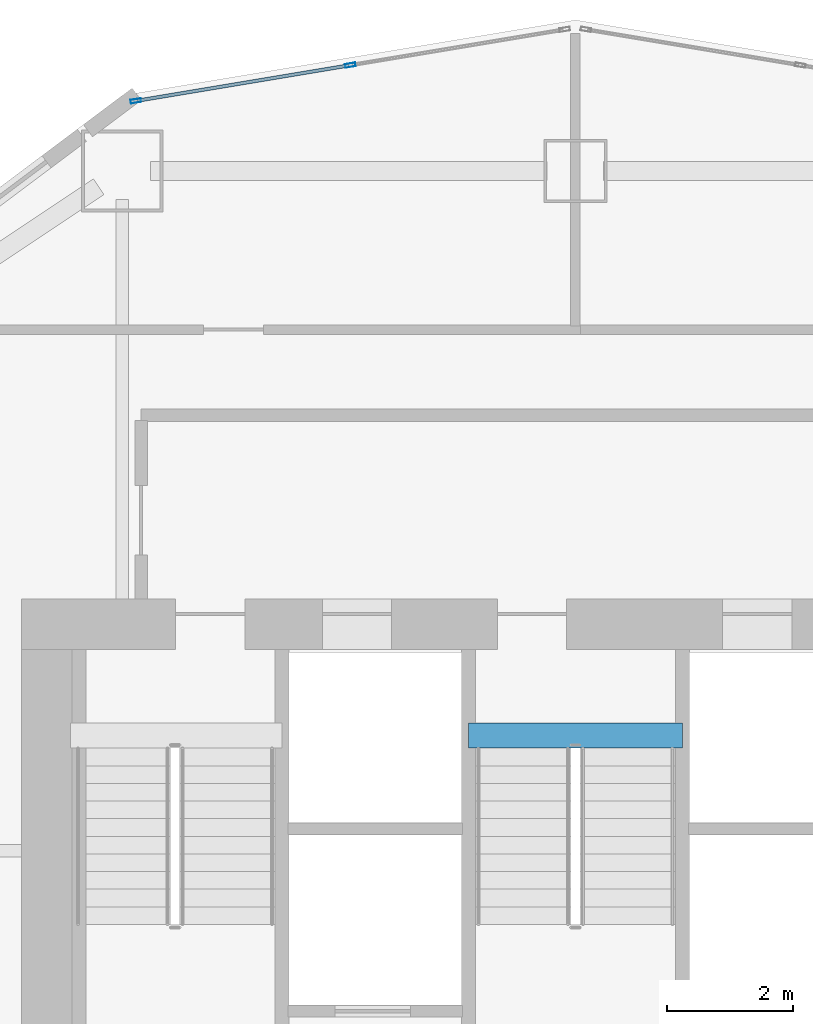
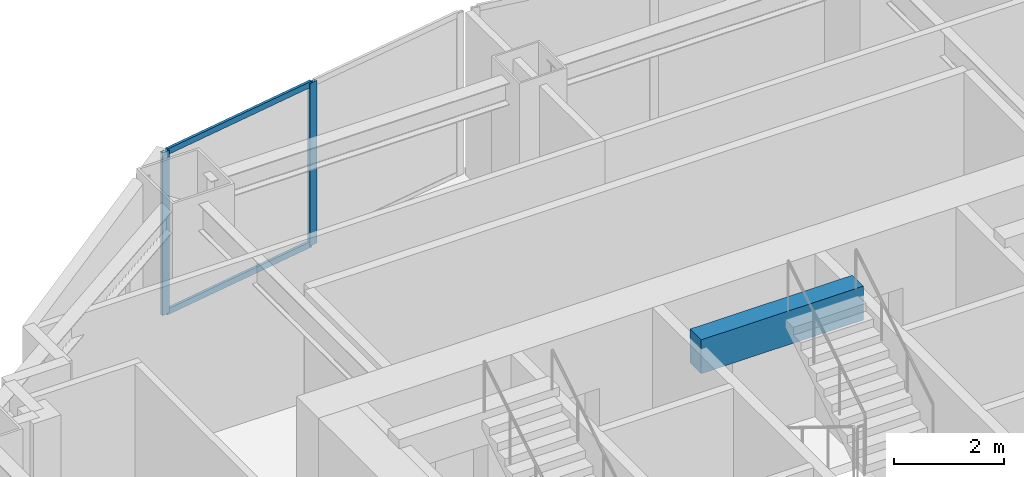
# One storey, part 2 of 17: 4 members, 1 beam, 1 element without a shape of its own.
"""IFC4 building model written with IfcOpenShell, lengths in metres."""

from ifc_helpers import new_model, si_unit, direction, frame, origin, origin_2d, place, context, subcontext, project, spatial, rectangle, hollow_rectangle, extrude, material, layer, layer_set, material_profile, profile_set, type_object, element, aggregate, save


model = new_model("IFC4")

# Units and contexts
model_context = context("Model", 3, precision=1e-05, world=origin(), true_north=direction((0.0, 1.0)))
body_context = subcontext(model_context, "Body", "Model", "MODEL_VIEW")
ifc_project = project(units=[si_unit("LENGTHUNIT", "METRE"), si_unit("AREAUNIT", "SQUARE_METRE"), si_unit("VOLUMEUNIT", "CUBIC_METRE"), si_unit("PLANEANGLEUNIT", "RADIAN"), si_unit("MASSUNIT", "GRAM", prefix="KILO")], contexts=[model_context])

# Site, building, storey
site_placement = place(None, origin())
site = spatial("IfcSite", under=ifc_project, at=site_placement, CompositionType="ELEMENT")
building_placement = place(site_placement, origin())
building = spatial("IfcBuilding", under=site, at=building_placement, Name="Haolan Belvedere Tower", CompositionType="ELEMENT")
storey_placement = place(building_placement, frame((0.0, 0.0, 35.39990234375)))
storey = spatial("IfcBuildingStorey", under=building, at=storey_placement, Name="L08", CompositionType="ELEMENT", Elevation=35.39990234375)

# Beam
ifc_material_1 = material(Name="Concrete C50/60", Category="concrete")
ifc_material_profile_1 = material_profile(ifc_material_1, rectangle(XDim=0.39990234375, YDim=0.75, at=origin_2d()), Name="Concrete C50/60")
ifc_profile_set_1 = profile_set([ifc_material_profile_1], Name="Concrete C50/60")
beam_type = type_object("IfcBeamType", Name="BM-RC400x750", PredefinedType="T_BEAM", material=ifc_profile_set_1)
beam_placement = place(storey_placement, frame((36.699951171875, 41.429931640625, 3.425048828125), z_axis=(1.0, 0.0, 0.0), x_axis=(0.0, 1.0, 0.0)))
element("IfcBeam", 1, at=beam_placement, inside=storey, type_object=beam_type, Name="L09 stair ST3 RC header trimmer beam", PredefinedType="BEAM", context=body_context, shape_type="SweptSolid", body=[
    extrude(rectangle(XDim=0.39990234375, YDim=0.75, at=origin_2d()), origin(), (0.0, 0.0, 1.0), 3.400146484375),
])

# Curtain wall, members
ifc_material_2 = material(Name="Anodised champagne-silver aluminium 6063-T6 and Low-E glass", Category="aluminium")
ifc_layer = layer(ifc_material_2, 0.1650390625, Name="Anodised champagne-silver aluminium 6063-T6 and Low-E glass")
ifc_layer_set = layer_set([ifc_layer], Name="Anodised champagne-silver aluminium 6063-T6 and Low-E glass")
curtain_wall_type = type_object("IfcCurtainWallType", Name="CW-SYS-02", PredefinedType="NOTDEFINED", material=ifc_layer_set)
curtain_wall_placement = place(storey_placement, origin())
curtain_wall = element("IfcCurtainWall", 2, at=curtain_wall_placement, inside=storey, type_object=curtain_wall_type, Name="L08 CW-SYS-02 ribbon curtain wall 43.1", PredefinedType="NOTDEFINED")
ifc_material_3 = material(Name="Anodised aluminium 6063-T6", Category="aluminium")
ifc_material_profile_2 = material_profile(ifc_material_3, hollow_rectangle(XDim=0.06005859375, YDim=0.1650390625, WallThickness=0.00390625, at=origin_2d()), Name="Anodised aluminium 6063-T6")
ifc_profile_set_2 = profile_set([ifc_material_profile_2], Name="Anodised aluminium 6063-T6")
member_type_1 = type_object("IfcMemberType", Name="CW-SYS-02-MUL", PredefinedType="MULLION", material=ifc_profile_set_2)
member_1_placement = place(storey_placement, frame((34.82421875, 52.082275390625, 0.0), z_axis=(0.0, 0.0, 1.0), x_axis=(0.16440364043, -0.9863931483, 0.0)))
member_1 = element("IfcMember", 3, at=member_1_placement, type_object=member_type_1, Name="CW-02 mullion 2", PredefinedType="MULLION", context=body_context, shape_type="SweptSolid", body=[
    extrude(hollow_rectangle(XDim=0.06005859375, YDim=0.1650390625, WallThickness=0.00390625, at=origin_2d()), origin(), (0.0, 0.0, 1.0), 3.60009765625),
])
member_2_placement = place(storey_placement, frame((31.416259765625, 51.514404296875, 0.0), z_axis=(0.0, 0.0, 1.0), x_axis=(0.16440364043, -0.9863931483, 0.0)))
member_2 = element("IfcMember", 4, at=member_2_placement, type_object=member_type_1, Name="CW-02 mullion 3", PredefinedType="MULLION", context=body_context, shape_type="SweptSolid", body=[
    extrude(hollow_rectangle(XDim=0.06005859375, YDim=0.1650390625, WallThickness=0.00390625, at=origin_2d()), origin(), (0.0, 0.0, 1.0), 3.60009765625),
])
ifc_material_profile_3 = material_profile(ifc_material_3, hollow_rectangle(XDim=0.054931640625, YDim=0.1298828125, WallThickness=0.00390625, at=origin_2d()), Name="Anodised aluminium 6063-T6")
ifc_profile_set_3 = profile_set([ifc_material_profile_3], Name="Anodised aluminium 6063-T6")
member_type_2 = type_object("IfcMemberType", Name="CW-SYS-02-TRN", PredefinedType="USERDEFINED", material=ifc_profile_set_3)
member_3_placement = place(storey_placement, frame((34.794677734375, 52.077392578125, 0.027587890625), z_axis=(-0.986395867289, -0.164387326137, 0.0), x_axis=(0.164387326137, -0.986395867289, 0.0)))
member_3 = element("IfcMember", 5, at=member_3_placement, type_object=member_type_2, Name="CW-02 transom 2.1", ObjectType="TRANSOM", PredefinedType="USERDEFINED", context=body_context, shape_type="SweptSolid", body=[
    extrude(hollow_rectangle(XDim=0.054931640625, YDim=0.1298828125, WallThickness=0.00390625, at=origin_2d()), origin(), (0.0, 0.0, 1.0), 3.39501953125),
])
member_4_placement = place(storey_placement, frame((34.794677734375, 52.077392578125, 3.572509765625), z_axis=(-0.986395867289, -0.164387326137, 0.0), x_axis=(0.164387326137, -0.986395867289, 0.0)))
member_4 = element("IfcMember", 6, at=member_4_placement, type_object=member_type_2, Name="CW-02 transom 2.2", ObjectType="TRANSOM", PredefinedType="USERDEFINED", context=body_context, shape_type="SweptSolid", body=[
    extrude(hollow_rectangle(XDim=0.054931640625, YDim=0.1298828125, WallThickness=0.00390625, at=origin_2d()), origin(), (0.0, 0.0, 1.0), 3.39501953125),
])
aggregate(curtain_wall, [member_1, member_2, member_3, member_4])

save(model, "model.ifc")
